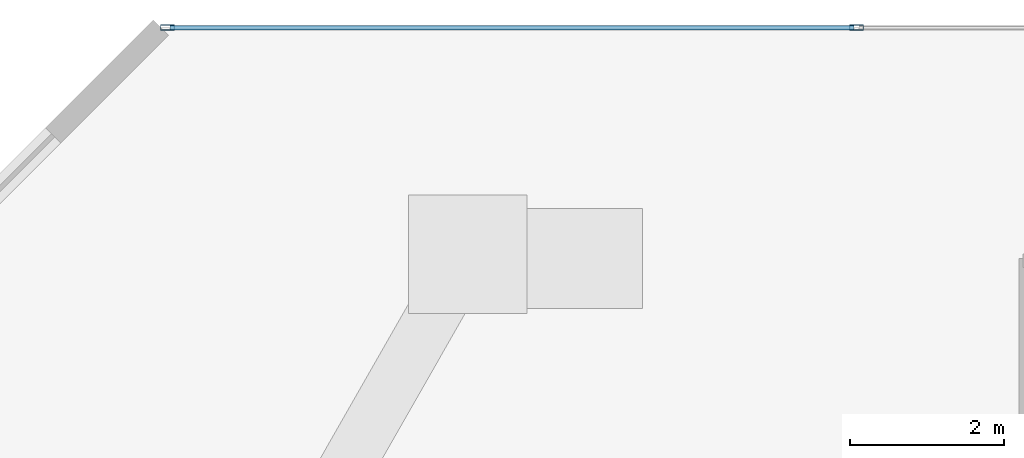
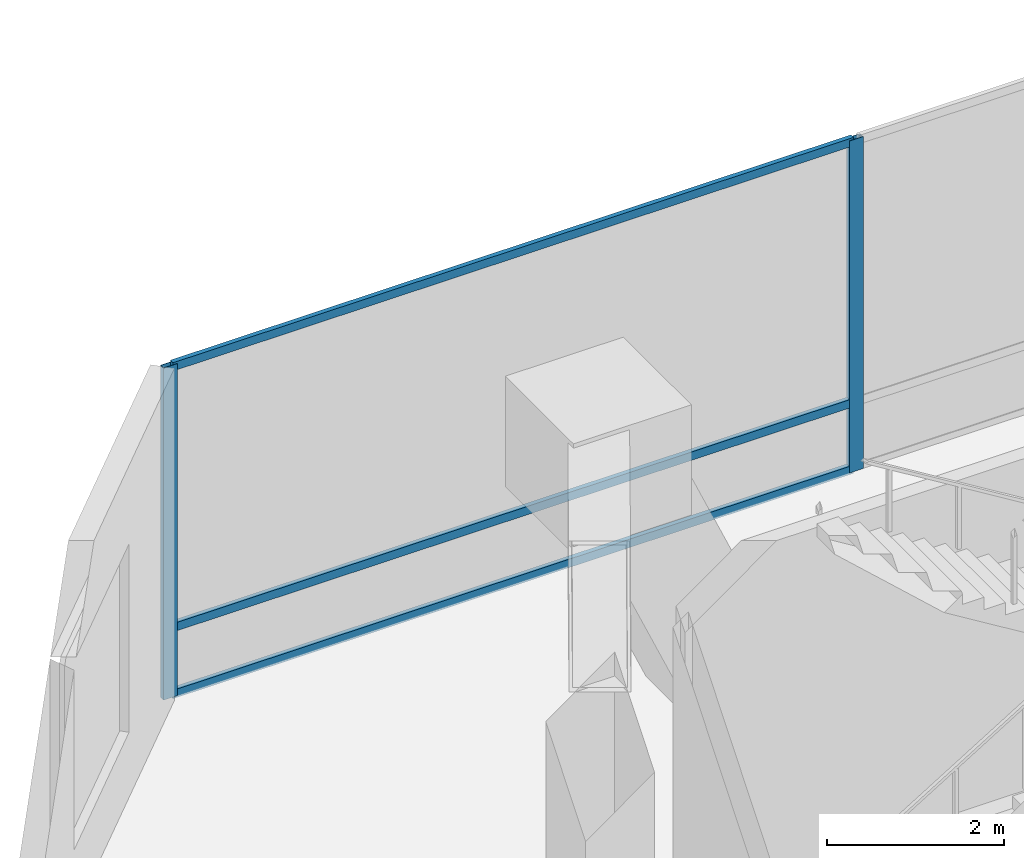
# One storey, part 19 of 45: 5 members, 1 element without a shape of its own.
"""IFC4 building model written with IfcOpenShell, lengths in metres."""

from ifc_helpers import new_model, si_unit, direction, frame, origin, origin_2d, place, context, subcontext, project, spatial, hollow_rectangle, extrude, material, layer, layer_set, material_profile, profile_set, type_object, element, aggregate, save


model = new_model("IFC4")

# Units and contexts
model_context = context("Model", 3, precision=1e-05, world=origin(), true_north=direction((0.0, 1.0)))
body_context = subcontext(model_context, "Body", "Model", "MODEL_VIEW")
ifc_project = project(units=[si_unit("LENGTHUNIT", "METRE"), si_unit("AREAUNIT", "SQUARE_METRE"), si_unit("VOLUMEUNIT", "CUBIC_METRE"), si_unit("PLANEANGLEUNIT", "RADIAN"), si_unit("MASSUNIT", "GRAM", prefix="KILO")], contexts=[model_context])

# Site, building, storey
site_placement = place(None, origin())
site = spatial("IfcSite", under=ifc_project, at=site_placement, CompositionType="ELEMENT")
building_placement = place(site_placement, origin())
building = spatial("IfcBuilding", under=site, at=building_placement, Name="Qianvela Tower", CompositionType="ELEMENT")
storey_placement = place(building_placement, frame((0.0, 0.0, 11.0)))
storey = spatial("IfcBuildingStorey", under=building, at=storey_placement, Name="L02", CompositionType="ELEMENT", Elevation=11.0)

# Curtain wall, members
ifc_material_1 = material(Name="Anodised Architectural Aluminium and Low-E Glass", Category="aluminium")
ifc_layer = layer(ifc_material_1, 0.179931640625)
ifc_layer_set = layer_set([ifc_layer], Name="Anodised Architectural Aluminium and Low-E Glass")
curtain_wall_type = type_object("IfcCurtainWallType", Name="CW-COMMONS", PredefinedType="USERDEFINED", material=ifc_layer_set)
curtain_wall_placement = place(storey_placement, origin())
curtain_wall = element("IfcCurtainWall", 1, at=curtain_wall_placement, inside=storey, type_object=curtain_wall_type, Name="L02 CW-COMMONS Curtain Wall 05", ObjectType="CURTAIN_WALL_SYSTEM", PredefinedType="USERDEFINED")
ifc_material_2 = material(Name="Anodised Architectural Aluminium 6063-T6", Category="aluminium")
ifc_material_profile_1 = material_profile(ifc_material_2, hollow_rectangle(XDim=0.070068359375, YDim=0.179931640625, WallThickness=0.0048828125, at=origin_2d()), Name="ALU-MULL-70x180")
ifc_profile_set_1 = profile_set([ifc_material_profile_1], Name="Anodised Architectural Aluminium 6063-T6")
member_type_1 = type_object("IfcMemberType", Name="CW-COMMONS-MULL", PredefinedType="MULLION", material=ifc_profile_set_1)
member_1_placement = place(storey_placement, frame((15.03564453125, 50.5, 0.0), z_axis=(0.0, 0.0, 1.0), x_axis=(0.0, -1.0, 0.0)))
member_1 = element("IfcMember", 2, at=member_1_placement, type_object=member_type_1, Name="CW-2 mullion 7", PredefinedType="MULLION", context=body_context, shape_type="SweptSolid", body=[
    extrude(hollow_rectangle(XDim=0.070068359375, YDim=0.179931640625, WallThickness=0.0048828125, at=origin_2d()), origin(), (0.0, 0.0, 1.0), 4.580078125),
])
member_2_placement = place(storey_placement, frame((6.0849609375, 50.5, 0.0), z_axis=(0.0, 0.0, 1.0), x_axis=(0.0, -1.0, 0.0)))
member_2 = element("IfcMember", 3, at=member_2_placement, type_object=member_type_1, Name="CW-2 mullion 8", PredefinedType="MULLION", context=body_context, shape_type="SweptSolid", body=[
    extrude(hollow_rectangle(XDim=0.070068359375, YDim=0.179931640625, WallThickness=0.0048828125, at=origin_2d()), origin(), (0.0, 0.0, 1.0), 4.580078125),
])
ifc_material_3 = material(Name="Anodised Architectural Aluminium 6063-T6", Category="aluminium")
ifc_material_profile_2 = material_profile(ifc_material_3, hollow_rectangle(XDim=0.06005859375, YDim=0.114990234375, WallThickness=0.00390625, at=origin_2d()), Name="ALU-TRAN-60x115")
ifc_profile_set_2 = profile_set([ifc_material_profile_2], Name="Anodised Architectural Aluminium 6063-T6")
member_type_2 = type_object("IfcMemberType", Name="CW-COMMONS-TRAN", PredefinedType="USERDEFINED", material=ifc_profile_set_2)
member_3_placement = place(storey_placement, frame((15.000732421875, 50.5, 0.030029296875), z_axis=(-1.0, 0.0, 0.0), x_axis=(0.0, -1.0, 0.0)))
member_3 = element("IfcMember", 4, at=member_3_placement, type_object=member_type_2, Name="CW-2 transom 7.1", ObjectType="TRANSOM", PredefinedType="USERDEFINED", context=body_context, shape_type="SweptSolid", body=[
    extrude(hollow_rectangle(XDim=0.06005859375, YDim=0.114990234375, WallThickness=0.00390625, at=origin_2d()), origin(), (0.0, 0.0, 1.0), 8.880615234375),
])
member_4_placement = place(storey_placement, frame((15.000732421875, 50.5, 0.949951171875), z_axis=(-1.0, 0.0, 0.0), x_axis=(0.0, -1.0, 0.0)))
member_4 = element("IfcMember", 5, at=member_4_placement, type_object=member_type_2, Name="CW-2 transom 7.2", ObjectType="TRANSOM", PredefinedType="USERDEFINED", context=body_context, shape_type="SweptSolid", body=[
    extrude(hollow_rectangle(XDim=0.06005859375, YDim=0.114990234375, WallThickness=0.00390625, at=origin_2d()), origin(), (0.0, 0.0, 1.0), 8.880615234375),
])
member_5_placement = place(storey_placement, frame((15.000732421875, 50.5, 4.550048828125), z_axis=(-1.0, 0.0, 0.0), x_axis=(0.0, -1.0, 0.0)))
member_5 = element("IfcMember", 6, at=member_5_placement, type_object=member_type_2, Name="CW-2 transom 7.3", ObjectType="TRANSOM", PredefinedType="USERDEFINED", context=body_context, shape_type="SweptSolid", body=[
    extrude(hollow_rectangle(XDim=0.06005859375, YDim=0.114990234375, WallThickness=0.00390625, at=origin_2d()), origin(), (0.0, 0.0, 1.0), 8.880615234375),
])
aggregate(curtain_wall, [member_1, member_2, member_3, member_4, member_5])

save(model, "model.ifc")
